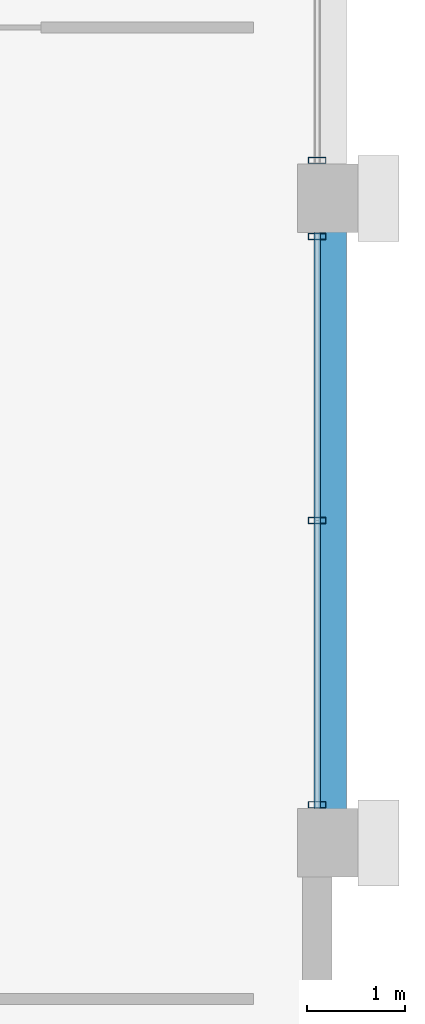
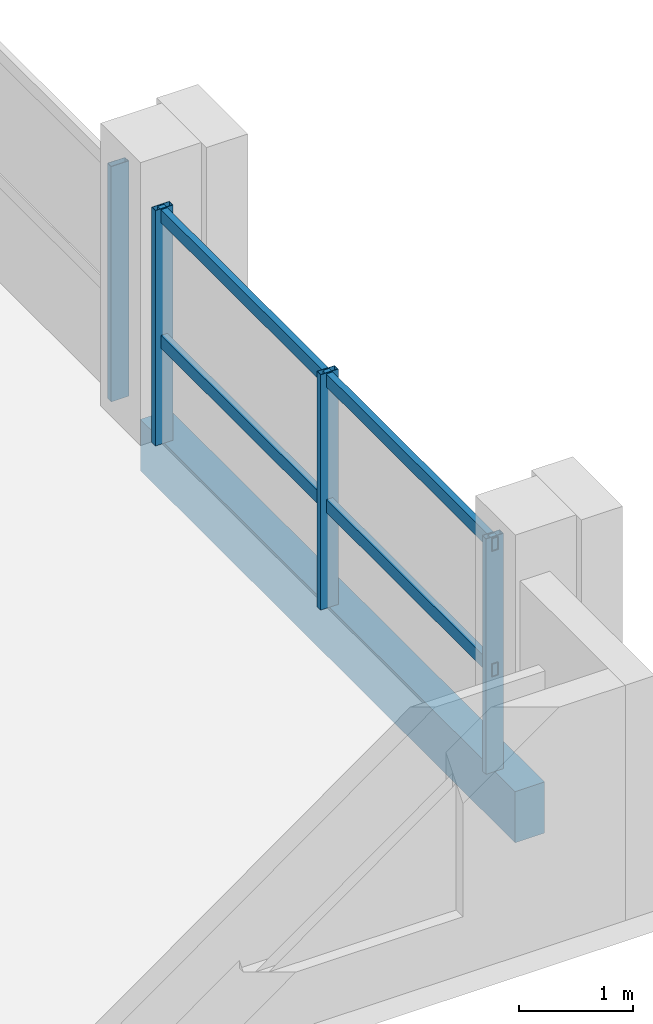
# One storey, part 11 of 24: 6 members, 1 beam, 2 elements without a shape of their own.
"""IFC4 building model written with IfcOpenShell, lengths in metres."""

from ifc_helpers import new_model, si_unit, direction, frame, origin, origin_2d, place, context, subcontext, project, spatial, rectangle, hollow_rectangle, extrude, material, material_profile, profile_set, type_object, element, aggregate, save


model = new_model("IFC4")

# Units and contexts
model_context = context("Model", 3, precision=1e-05, world=origin(), true_north=direction((0.0, 1.0)))
body_context = subcontext(model_context, "Body", "Model", "MODEL_VIEW")
ifc_project = project(units=[si_unit("LENGTHUNIT", "METRE"), si_unit("AREAUNIT", "SQUARE_METRE"), si_unit("VOLUMEUNIT", "CUBIC_METRE"), si_unit("PLANEANGLEUNIT", "RADIAN"), si_unit("MASSUNIT", "GRAM", prefix="KILO")], contexts=[model_context])

# Site, building, storey
site_placement = place(None, origin())
site = spatial("IfcSite", under=ifc_project, at=site_placement, CompositionType="ELEMENT")
building_placement = place(site_placement, origin())
building = spatial("IfcBuilding", under=site, at=building_placement, Name="Akrevak Sports Hall", CompositionType="ELEMENT")
storey_placement = place(building_placement, frame((0.0, 0.0, 56.800048828125)))
storey = spatial("IfcBuildingStorey", under=building, at=storey_placement, Name="L14", CompositionType="ELEMENT", Elevation=56.800048828125)

# Curtain wall, members
ifc_material_1 = material(Name="Anodized Bronze Aluminium & Low-E Glass", Category="aluminium")
curtain_wall_type = type_object("IfcCurtainWallType", Name="ARC-CW-TWR-64x30", PredefinedType="NOTDEFINED", material=ifc_material_1)
curtain_wall_1_placement = place(storey_placement, origin())
curtain_wall_1 = element("IfcCurtainWall", 1, at=curtain_wall_1_placement, inside=storey, type_object=curtain_wall_type, Name="Curtain Wall CW-L14-E11", PredefinedType="NOTDEFINED")
ifc_material_2 = material(Name="Anodized Bronze Aluminium", Category="aluminium")
ifc_material_profile_1 = material_profile(ifc_material_2, hollow_rectangle(XDim=0.06494140625, YDim=0.179931640625, WallThickness=0.00390625, at=origin_2d()), Name="CWM 65x180", Category="aluminium")
ifc_profile_set_1 = profile_set([ifc_material_profile_1], Name="Anodized Bronze Aluminium")
member_type_1 = type_object("IfcMemberType", Name="ARC-CWM-65x140", PredefinedType="MULLION", material=ifc_profile_set_1)
member_1_placement = place(storey_placement, frame((107.85009765625, 42.389892578125, 0.0), z_axis=(0.0, 0.0, 1.0), x_axis=(0.0, 1.0, 0.0)))
member_1 = element("IfcMember", 2, at=member_1_placement, type_object=member_type_1, Name="Curtain Wall Mullion CW-L14-E11-M1", PredefinedType="MULLION", context=body_context, shape_type="SweptSolid", body=[
    extrude(hollow_rectangle(XDim=0.06494140625, YDim=0.179931640625, WallThickness=0.00390625, at=origin_2d()), origin(), (0.0, 0.0, 1.0), 2.530029296875),
])
member_2_placement = place(storey_placement, frame((107.85009765625, 45.300048828125, 0.0), z_axis=(0.0, 0.0, 1.0), x_axis=(0.0, 1.0, 0.0)))
member_2 = element("IfcMember", 3, at=member_2_placement, type_object=member_type_1, Name="Curtain Wall Mullion CW-L14-E11-M2", PredefinedType="MULLION", context=body_context, shape_type="SweptSolid", body=[
    extrude(hollow_rectangle(XDim=0.06494140625, YDim=0.179931640625, WallThickness=0.00390625, at=origin_2d()), origin(), (0.0, 0.0, 1.0), 2.530029296875),
])
member_3_placement = place(storey_placement, frame((107.85009765625, 48.2099609375, 0.0), z_axis=(0.0, 0.0, 1.0), x_axis=(0.0, 1.0, 0.0)))
member_3 = element("IfcMember", 4, at=member_3_placement, type_object=member_type_1, Name="Curtain Wall Mullion CW-L14-E11-M3", PredefinedType="MULLION", context=body_context, shape_type="SweptSolid", body=[
    extrude(hollow_rectangle(XDim=0.06494140625, YDim=0.179931640625, WallThickness=0.00390625, at=origin_2d()), origin(), (0.0, 0.0, 1.0), 2.530029296875),
])

# Curtain wall, member
curtain_wall_2_placement = place(storey_placement, origin())
curtain_wall_2 = element("IfcCurtainWall", 5, at=curtain_wall_2_placement, inside=storey, type_object=curtain_wall_type, Name="Curtain Wall CW-L14-E12", PredefinedType="NOTDEFINED")
member_4_placement = place(storey_placement, frame((107.85009765625, 48.989990234375, 0.0), z_axis=(0.0, 0.0, 1.0), x_axis=(0.0, 1.0, 0.0)))
member_4 = element("IfcMember", 6, at=member_4_placement, type_object=member_type_1, Name="Curtain Wall Mullion CW-L14-E12-M1", PredefinedType="MULLION", context=body_context, shape_type="SweptSolid", body=[
    extrude(hollow_rectangle(XDim=0.06494140625, YDim=0.179931640625, WallThickness=0.00390625, at=origin_2d()), origin(), (0.0, 0.0, 1.0), 2.530029296875),
])
aggregate(curtain_wall_2, [member_4])

# Member
ifc_material_profile_2 = material_profile(ifc_material_2, hollow_rectangle(XDim=0.06494140625, YDim=0.139892578125, WallThickness=0.00390625, at=origin_2d()), Name="CWT 65x140", Category="aluminium")
ifc_profile_set_2 = profile_set([ifc_material_profile_2], Name="Anodized Bronze Aluminium")
member_type_2 = type_object("IfcMemberType", Name="ARC-CWT-65x110", PredefinedType="USERDEFINED", material=ifc_profile_set_2)
member_5_placement = place(storey_placement, frame((107.85009765625, 42.35009765625, 1.099853515625), z_axis=(0.0, 1.0, 0.0), x_axis=(-1.0, 0.0, 0.0)))
member_5 = element("IfcMember", 7, at=member_5_placement, type_object=member_type_2, Name="Curtain Wall Transom CW-L14-E11-T1", ObjectType="TRANSOM", PredefinedType="USERDEFINED", context=body_context, shape_type="SweptSolid", body=[
    extrude(hollow_rectangle(XDim=0.06494140625, YDim=0.139892578125, WallThickness=0.00390625, at=origin_2d()), origin(), (0.0, 0.0, 1.0), 5.89990234375),
])

member_6_placement = place(storey_placement, frame((107.85009765625, 42.35009765625, 2.449951171875), z_axis=(0.0, 1.0, 0.0), x_axis=(-1.0, 0.0, 0.0)))
member_6 = element("IfcMember", 8, at=member_6_placement, type_object=member_type_2, Name="Curtain Wall Transom CW-L14-E11-T2", ObjectType="TRANSOM", PredefinedType="USERDEFINED", context=body_context, shape_type="SweptSolid", body=[
    extrude(hollow_rectangle(XDim=0.06494140625, YDim=0.139892578125, WallThickness=0.00390625, at=origin_2d()), origin(), (0.0, 0.0, 1.0), 5.89990234375),
])

aggregate(curtain_wall_1, [member_1, member_2, member_3, member_5, member_6])

# Beam
ifc_material_3 = material(Name="Concrete C40/50", Category="concrete")
ifc_material_profile_3 = material_profile(ifc_material_3, rectangle(XDim=0.300048828125, YDim=0.550048828125, at=origin_2d()), Name="BM 300x550", Category="concrete")
ifc_profile_set_3 = profile_set([ifc_material_profile_3], Name="Concrete C40/50")
beam_type = type_object("IfcBeamType", Name="STR-BM-RC300x550", PredefinedType="BEAM", material=ifc_profile_set_3)
beam_placement = place(storey_placement, frame((108.0, 42.0, -0.275146484375), z_axis=(0.0, 1.0, 0.0), x_axis=(-1.0, 0.0, 0.0)))
element("IfcBeam", 9, at=beam_placement, inside=storey, type_object=beam_type, Name="Girder 15/G-H (L14)", PredefinedType="BEAM", context=body_context, shape_type="SweptSolid", body=[
    extrude(rectangle(XDim=0.300048828125, YDim=0.550048828125, at=origin_2d()), origin(), (0.0, 0.0, 1.0), 6.60009765625),
])

save(model, "model.ifc")
